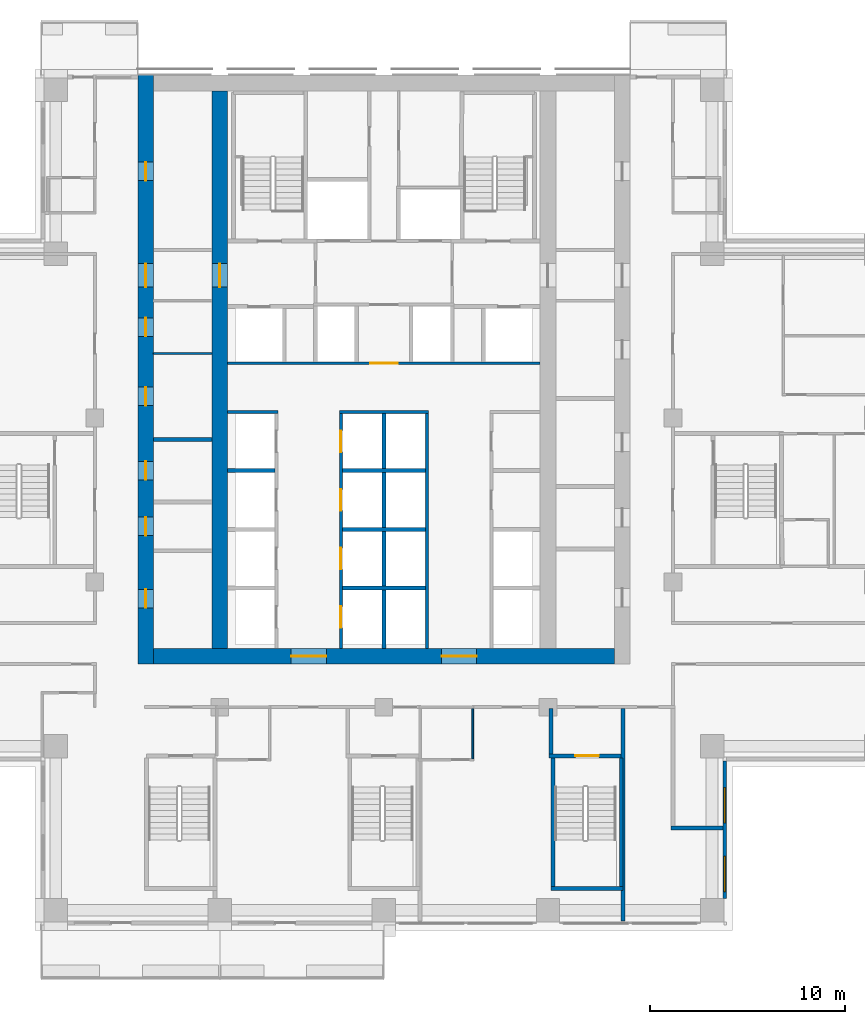
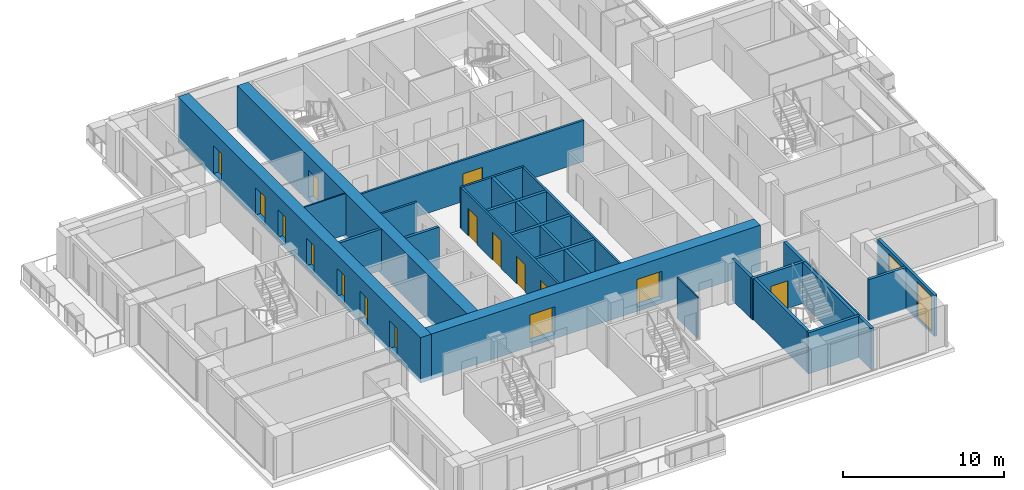
# One storey, part 8 of 16: 24 walls, 16 doors, 2 windows, 18 openings.
"""IFC4 building model written with IfcOpenShell, lengths in metres."""

from ifc_helpers import new_model, si_unit, direction, frame, frame_2d, origin, place, context, subcontext, project, spatial, rectangle, extrude, material, layer, layer_set, type_object, element, fill, save


model = new_model("IFC4")

# Units and contexts
model_context = context("Model", 3, precision=1e-05, world=origin(), true_north=direction((0.0, 1.0)))
body_context = subcontext(model_context, "Body", "Model", "MODEL_VIEW")
ifc_project = project(units=[si_unit("LENGTHUNIT", "METRE"), si_unit("AREAUNIT", "SQUARE_METRE"), si_unit("VOLUMEUNIT", "CUBIC_METRE"), si_unit("PLANEANGLEUNIT", "RADIAN"), si_unit("MASSUNIT", "GRAM", prefix="KILO")], contexts=[model_context])

# Site, building, storey
site_placement = place(None, origin())
site = spatial("IfcSite", under=ifc_project, at=site_placement, CompositionType="ELEMENT")
building_placement = place(site_placement, origin())
building = spatial("IfcBuilding", under=site, at=building_placement, Name="Vermilion Ogive Tower", CompositionType="ELEMENT")
storey_placement = place(building_placement, frame((0.0, 0.0, 114.89990234375)))
storey = spatial("IfcBuildingStorey", under=building, at=storey_placement, Name="L29", CompositionType="ELEMENT", Elevation=114.89990234375)

# Wall, openings, doors
ifc_material_1 = material(Name="Concrete B80", Category="concrete")
ifc_layer_1 = layer(ifc_material_1, 0.800048828125)
ifc_layer_set_1 = layer_set([ifc_layer_1], Name="Core wall 800 B80")
wall_type_1 = type_object("IfcWallType", Name="Core wall 800 B80", PredefinedType="SHEAR", material=ifc_layer_set_1)
wall_1_placement = place(storey_placement, frame((-12.199951171875, -8.39990234375, -0.31982421875), z_axis=(0.0, 0.0, 1.0), x_axis=(0.0, 1.0, 0.0)))
wall_1 = element("IfcWall", 1, at=wall_1_placement, inside=storey, type_object=wall_type_1, Name="L29-CORE-W", PredefinedType="SHEAR", context=body_context, shape_type="SweptSolid", body=[
    extrude(rectangle(XDim=30.14990234375, YDim=0.800048828125, at=frame_2d((15.074951171875, 0.0))), origin(), (0.0, 0.0, 1.0), 3.449951171875),
])
opening_1_placement = place(wall_1_placement, frame((2.875, 0.0, 0.320068359375)))
opening_1 = element("IfcOpeningElement", 2, at=opening_1_placement, cuts=wall_1, Name="Opening DAD056", PredefinedType="OPENING", context=body_context, shape_type="SweptSolid", body=[
    extrude(rectangle(XDim=0.949951171875, YDim=2.10009765625, at=frame_2d((0.47509765625, 1.050048828125))), frame((0.0, 0.409912109375, 0.0), z_axis=(0.0, -1.0, 0.0), x_axis=(1.0, 0.0, 0.0)), (0.0, 0.0, 1.0), 0.820068359375),
])
opening_2_placement = place(wall_1_placement, frame((6.574951171875, 0.0, 0.320068359375)))
opening_2 = element("IfcOpeningElement", 3, at=opening_2_placement, cuts=wall_1, Name="Opening DAD057", PredefinedType="OPENING", context=body_context, shape_type="SweptSolid", body=[
    extrude(rectangle(XDim=0.949951171875, YDim=2.10009765625, at=frame_2d((0.47509765625, 1.050048828125))), frame((0.0, 0.409912109375, 0.0), z_axis=(0.0, -1.0, 0.0), x_axis=(1.0, 0.0, 0.0)), (0.0, 0.0, 1.0), 0.820068359375),
])
opening_3_placement = place(wall_1_placement, frame((9.425048828125, 0.0, 0.320068359375)))
opening_3 = element("IfcOpeningElement", 4, at=opening_3_placement, cuts=wall_1, Name="Opening DAD058", PredefinedType="OPENING", context=body_context, shape_type="SweptSolid", body=[
    extrude(rectangle(XDim=0.949951171875, YDim=2.10009765625, at=frame_2d((0.47509765625, 1.050048828125))), frame((0.0, 0.409912109375, 0.0), z_axis=(0.0, -1.0, 0.0), x_axis=(1.0, 0.0, 0.0)), (0.0, 0.0, 1.0), 0.820068359375),
])
opening_4_placement = place(wall_1_placement, frame((13.22509765625, 0.0, 0.320068359375)))
opening_4 = element("IfcOpeningElement", 5, at=opening_4_placement, cuts=wall_1, Name="Opening DAD059", PredefinedType="OPENING", context=body_context, shape_type="SweptSolid", body=[
    extrude(rectangle(XDim=0.949951171875, YDim=2.10009765625, at=frame_2d((0.47509765625, 1.050048828125))), frame((0.0, 0.409912109375, 0.0), z_axis=(0.0, -1.0, 0.0), x_axis=(1.0, 0.0, 0.0)), (0.0, 0.0, 1.0), 0.820068359375),
])
opening_5_placement = place(wall_1_placement, frame((16.77490234375, 0.0, 0.320068359375)))
opening_5 = element("IfcOpeningElement", 6, at=opening_5_placement, cuts=wall_1, Name="Opening DAD060", PredefinedType="OPENING", context=body_context, shape_type="SweptSolid", body=[
    extrude(rectangle(XDim=0.949951171875, YDim=2.10009765625, at=frame_2d((0.47509765625, 1.050048828125))), frame((0.0, 0.409912109375, 0.0), z_axis=(0.0, -1.0, 0.0), x_axis=(1.0, 0.0, 0.0)), (0.0, 0.0, 1.0), 0.820068359375),
])
opening_6_placement = place(wall_1_placement, frame((24.75, 0.0, 0.320068359375)))
opening_6 = element("IfcOpeningElement", 7, at=opening_6_placement, cuts=wall_1, Name="Opening DAD061", PredefinedType="OPENING", context=body_context, shape_type="SweptSolid", body=[
    extrude(rectangle(XDim=0.949951171875, YDim=2.10009765625, at=frame_2d((0.47509765625, 1.050048828125))), frame((0.0, 0.409912109375, 0.0), z_axis=(0.0, -1.0, 0.0), x_axis=(1.0, 0.0, 0.0)), (0.0, 0.0, 1.0), 0.820068359375),
])
opening_7_placement = place(wall_1_placement, frame((19.300048828125, 0.0, 0.320068359375)))
opening_7 = element("IfcOpeningElement", 8, at=opening_7_placement, cuts=wall_1, Name="Opening DAM011", PredefinedType="OPENING", context=body_context, shape_type="SweptSolid", body=[
    extrude(rectangle(XDim=1.199951171875, YDim=2.10009765625, at=frame_2d((0.60009765625, 1.050048828125))), frame((0.0, 0.409912109375, 0.0), z_axis=(0.0, -1.0, 0.0), x_axis=(1.0, 0.0, 0.0)), (0.0, 0.0, 1.0), 0.820068359375),
])
ifc_material_2 = material(Name="Timber door leaf", Category="wood")
door_type_1 = type_object("IfcDoorType", Name="Link door 1200 x 2100 FD60S", OperationType="SINGLE_SWING_LEFT", PredefinedType="DOOR", material=ifc_material_2)
door_1_placement = place(opening_7_placement, origin())
door_1 = element("IfcDoor", 9, at=door_1_placement, inside=storey, type_object=door_type_1, Name="L29-CKW-XL", OperationType="SINGLE_SWING_LEFT", OverallHeight=2.10009765625, OverallWidth=1.199951171875, PredefinedType="DOOR", context=body_context, shape_type="SweptSolid", body=[
    extrude(rectangle(XDim=1.199951171875, YDim=2.10009765625, at=frame_2d((0.60009765625, 1.050048828125))), frame((0.0, 0.02490234375, 0.0), z_axis=(0.0, -1.0, 0.0), x_axis=(1.0, 0.0, 0.0)), (0.0, 0.0, 1.0), 0.050048828125),
])
fill(opening_7, door_1)
ifc_material_3 = material(Name="Timber door leaf", Category="wood")
door_type_2 = type_object("IfcDoorType", Name="Service door 950 x 2100 FD60", OperationType="SINGLE_SWING_LEFT", PredefinedType="DOOR", material=ifc_material_3)
door_2_placement = place(opening_1_placement, origin())
door_2 = element("IfcDoor", 10, at=door_2_placement, inside=storey, type_object=door_type_2, Name="L29-CKW-XR0", OperationType="SINGLE_SWING_LEFT", OverallHeight=2.10009765625, OverallWidth=0.949951171875, PredefinedType="DOOR", context=body_context, shape_type="SweptSolid", body=[
    extrude(rectangle(XDim=0.949951171875, YDim=2.10009765625, at=frame_2d((0.47509765625, 1.050048828125))), frame((0.0, 0.02490234375, 0.0), z_axis=(0.0, -1.0, 0.0), x_axis=(1.0, 0.0, 0.0)), (0.0, 0.0, 1.0), 0.050048828125),
])
fill(opening_1, door_2)
door_3_placement = place(opening_2_placement, origin())
door_3 = element("IfcDoor", 11, at=door_3_placement, inside=storey, type_object=door_type_2, Name="L29-CKW-XR1", OperationType="SINGLE_SWING_LEFT", OverallHeight=2.10009765625, OverallWidth=0.949951171875, PredefinedType="DOOR", context=body_context, shape_type="SweptSolid", body=[
    extrude(rectangle(XDim=0.949951171875, YDim=2.10009765625, at=frame_2d((0.47509765625, 1.050048828125))), frame((0.0, 0.02490234375, 0.0), z_axis=(0.0, -1.0, 0.0), x_axis=(1.0, 0.0, 0.0)), (0.0, 0.0, 1.0), 0.050048828125),
])
fill(opening_2, door_3)
door_4_placement = place(opening_3_placement, origin())
door_4 = element("IfcDoor", 12, at=door_4_placement, inside=storey, type_object=door_type_2, Name="L29-CKW-XR2", OperationType="SINGLE_SWING_LEFT", OverallHeight=2.10009765625, OverallWidth=0.949951171875, PredefinedType="DOOR", context=body_context, shape_type="SweptSolid", body=[
    extrude(rectangle(XDim=0.949951171875, YDim=2.10009765625, at=frame_2d((0.47509765625, 1.050048828125))), frame((0.0, 0.02490234375, 0.0), z_axis=(0.0, -1.0, 0.0), x_axis=(1.0, 0.0, 0.0)), (0.0, 0.0, 1.0), 0.050048828125),
])
fill(opening_3, door_4)
door_5_placement = place(opening_4_placement, origin())
door_5 = element("IfcDoor", 13, at=door_5_placement, inside=storey, type_object=door_type_2, Name="L29-CKW-XR3", OperationType="SINGLE_SWING_LEFT", OverallHeight=2.10009765625, OverallWidth=0.949951171875, PredefinedType="DOOR", context=body_context, shape_type="SweptSolid", body=[
    extrude(rectangle(XDim=0.949951171875, YDim=2.10009765625, at=frame_2d((0.47509765625, 1.050048828125))), frame((0.0, 0.02490234375, 0.0), z_axis=(0.0, -1.0, 0.0), x_axis=(1.0, 0.0, 0.0)), (0.0, 0.0, 1.0), 0.050048828125),
])
fill(opening_4, door_5)
door_6_placement = place(opening_5_placement, origin())
door_6 = element("IfcDoor", 14, at=door_6_placement, inside=storey, type_object=door_type_2, Name="L29-CKW-XR4", OperationType="SINGLE_SWING_LEFT", OverallHeight=2.10009765625, OverallWidth=0.949951171875, PredefinedType="DOOR", context=body_context, shape_type="SweptSolid", body=[
    extrude(rectangle(XDim=0.949951171875, YDim=2.10009765625, at=frame_2d((0.47509765625, 1.050048828125))), frame((0.0, 0.02490234375, 0.0), z_axis=(0.0, -1.0, 0.0), x_axis=(1.0, 0.0, 0.0)), (0.0, 0.0, 1.0), 0.050048828125),
])
fill(opening_5, door_6)
door_7_placement = place(opening_6_placement, origin())
door_7 = element("IfcDoor", 15, at=door_7_placement, inside=storey, type_object=door_type_2, Name="L29-CKW-XR5", OperationType="SINGLE_SWING_LEFT", OverallHeight=2.10009765625, OverallWidth=0.949951171875, PredefinedType="DOOR", context=body_context, shape_type="SweptSolid", body=[
    extrude(rectangle(XDim=0.949951171875, YDim=2.10009765625, at=frame_2d((0.47509765625, 1.050048828125))), frame((0.0, 0.02490234375, 0.0), z_axis=(0.0, -1.0, 0.0), x_axis=(1.0, 0.0, 0.0)), (0.0, 0.0, 1.0), 0.050048828125),
])
fill(opening_6, door_7)

wall_2_placement = place(storey_placement, frame((-11.800048828125, -8.0, -0.31982421875), z_axis=(0.0, 0.0, 1.0), x_axis=(1.0, 0.0, 0.0)))
wall_2 = element("IfcWall", 16, at=wall_2_placement, inside=storey, type_object=wall_type_1, Name="L29-CORE-S", PredefinedType="SHEAR", context=body_context, shape_type="SweptSolid", body=[
    extrude(rectangle(XDim=23.60009765625, YDim=0.800048828125, at=frame_2d((11.800048828125, 0.0))), origin(), (0.0, 0.0, 1.0), 3.449951171875),
])
opening_8_placement = place(wall_2_placement, frame((7.050048828125, 0.0, 0.320068359375)))
opening_8 = element("IfcOpeningElement", 17, at=opening_8_placement, cuts=wall_2, Name="Opening DAH021", PredefinedType="OPENING", context=body_context, shape_type="SweptSolid", body=[
    extrude(rectangle(XDim=1.800048828125, YDim=2.10009765625, at=frame_2d((0.89990234375, 1.050048828125))), frame((0.0, 0.409912109375, 0.0), z_axis=(0.0, -1.0, 0.0), x_axis=(1.0, 0.0, 0.0)), (0.0, 0.0, 1.0), 0.820068359375),
])
opening_9_placement = place(wall_2_placement, frame((14.75, 0.0, 0.320068359375)))
opening_9 = element("IfcOpeningElement", 18, at=opening_9_placement, cuts=wall_2, Name="Opening DAH022", PredefinedType="OPENING", context=body_context, shape_type="SweptSolid", body=[
    extrude(rectangle(XDim=1.800048828125, YDim=2.10009765625, at=frame_2d((0.89990234375, 1.050048828125))), frame((0.0, 0.409912109375, 0.0), z_axis=(0.0, -1.0, 0.0), x_axis=(1.0, 0.0, 0.0)), (0.0, 0.0, 1.0), 0.820068359375),
])
ifc_material_4 = material(Name="Timber door leaf", Category="wood")
door_type_3 = type_object("IfcDoorType", Name="Core entry door 1800 x 2100 FD60S", OperationType="DOUBLE_DOOR_SINGLE_SWING", PredefinedType="DOOR", material=ifc_material_4)
door_8_placement = place(opening_8_placement, origin())
door_8 = element("IfcDoor", 19, at=door_8_placement, inside=storey, type_object=door_type_3, Name="L29-CK-XD1", OperationType="SINGLE_SWING_LEFT", OverallHeight=2.10009765625, OverallWidth=1.800048828125, PredefinedType="DOOR", context=body_context, shape_type="SweptSolid", body=[
    extrude(rectangle(XDim=1.800048828125, YDim=2.10009765625, at=frame_2d((0.89990234375, 1.050048828125))), frame((0.0, 0.02490234375, 0.0), z_axis=(0.0, -1.0, 0.0), x_axis=(1.0, 0.0, 0.0)), (0.0, 0.0, 1.0), 0.050048828125),
])
fill(opening_8, door_8)
door_9_placement = place(opening_9_placement, origin())
door_9 = element("IfcDoor", 20, at=door_9_placement, inside=storey, type_object=door_type_3, Name="L29-CK-XD2", OperationType="SINGLE_SWING_LEFT", OverallHeight=2.10009765625, OverallWidth=1.800048828125, PredefinedType="DOOR", context=body_context, shape_type="SweptSolid", body=[
    extrude(rectangle(XDim=1.800048828125, YDim=2.10009765625, at=frame_2d((0.89990234375, 1.050048828125))), frame((0.0, 0.02490234375, 0.0), z_axis=(0.0, -1.0, 0.0), x_axis=(1.0, 0.0, 0.0)), (0.0, 0.0, 1.0), 0.050048828125),
])
fill(opening_9, door_9)

# Wall, opening, door
wall_3_placement = place(storey_placement, frame((-8.39990234375, -7.60009765625, -0.31982421875), z_axis=(0.0, 0.0, 1.0), x_axis=(0.0, 1.0, 0.0)))
wall_3 = element("IfcWall", 21, at=wall_3_placement, inside=storey, type_object=wall_type_1, Name="L29-CORE-WEB1", PredefinedType="SHEAR", context=body_context, shape_type="SweptSolid", body=[
    extrude(rectangle(XDim=28.550048828125, YDim=0.800048828125, at=frame_2d((14.27490234375, 0.0))), origin(), (0.0, 0.0, 1.0), 3.449951171875),
])
opening_10_placement = place(wall_3_placement, frame((18.5, 0.0, 0.320068359375)))
opening_10 = element("IfcOpeningElement", 22, at=opening_10_placement, cuts=wall_3, Name="Opening DAP011", PredefinedType="OPENING", context=body_context, shape_type="SweptSolid", body=[
    extrude(rectangle(XDim=1.199951171875, YDim=2.10009765625, at=frame_2d((0.60009765625, 1.050048828125))), frame((0.0, 0.409912109375, 0.0), z_axis=(0.0, -1.0, 0.0), x_axis=(1.0, 0.0, 0.0)), (0.0, 0.0, 1.0), 0.820068359375),
])
door_10_placement = place(opening_10_placement, origin())
door_10 = element("IfcDoor", 23, at=door_10_placement, inside=storey, type_object=door_type_1, Name="L29-CKW-XW", OperationType="SINGLE_SWING_LEFT", OverallHeight=2.10009765625, OverallWidth=1.199951171875, PredefinedType="DOOR", context=body_context, shape_type="SweptSolid", body=[
    extrude(rectangle(XDim=1.199951171875, YDim=2.10009765625, at=frame_2d((0.60009765625, 1.050048828125))), frame((0.0, 0.02490234375, 0.0), z_axis=(0.0, -1.0, 0.0), x_axis=(1.0, 0.0, 0.0)), (0.0, 0.0, 1.0), 0.050048828125),
])
fill(opening_10, door_10)

# Walls
ifc_material_5 = material(Name="Gypsum board partition on steel studs", Category="steel")
ifc_layer_2 = layer(ifc_material_5, 0.10009765625)
ifc_layer_set_2 = layer_set([ifc_layer_2], Name="Partition 100 bath")
wall_type_2 = type_object("IfcWallType", Name="Partition 100 bath", PredefinedType="PARTITIONING", material=ifc_layer_set_2)
wall_4_placement = place(storey_placement, frame((4.550048828125, -13.248046875, 0.0), z_axis=(0.0, 0.0, 1.0), x_axis=(0.0, 1.0, 0.0)))
element("IfcWall", 24, at=wall_4_placement, inside=storey, type_object=wall_type_2, Name="L29-W-W062", PredefinedType="PARTITIONING", context=body_context, shape_type="SweptSolid", body=[
    extrude(rectangle(XDim=2.572998046875, YDim=0.10009765625, at=frame_2d((1.28662109375, 0.0))), origin(), (0.0, 0.0, 1.0), 3.130126953125),
])
wall_5_placement = place(storey_placement, frame((-11.799072265625, 7.5, 0.0), z_axis=(0.0, 0.0, 1.0), x_axis=(1.0, 0.0, 0.0)))
element("IfcWall", 25, at=wall_5_placement, inside=storey, type_object=wall_type_2, Name="L29-CKW-W-W004", PredefinedType="PARTITIONING", context=body_context, shape_type="SweptSolid", body=[
    extrude(rectangle(XDim=2.998046875, YDim=0.10009765625, at=frame_2d((1.4990234375, 0.0))), origin(), (0.0, 0.0, 1.0), 3.130126953125),
])
ifc_material_6 = material(Name="Gypsum board partition on steel studs", Category="steel")
ifc_layer_3 = layer(ifc_material_6, 0.14990234375)
ifc_layer_set_3 = layer_set([ifc_layer_3], Name="Partition 150 corridor")
wall_type_3 = type_object("IfcWallType", Name="Partition 150 corridor", PredefinedType="PARTITIONING", material=ifc_layer_set_3)
wall_6_placement = place(storey_placement, frame((-7.9990234375, 4.5, 0.0), z_axis=(0.0, 0.0, 1.0), x_axis=(1.0, 0.0, 0.0)))
element("IfcWall", 26, at=wall_6_placement, inside=storey, type_object=wall_type_3, Name="L29-CK-W-W010", PredefinedType="PARTITIONING", context=body_context, shape_type="SweptSolid", body=[
    extrude(rectangle(XDim=2.573974609375, YDim=0.14990234375, at=frame_2d((1.287109375, 0.0))), origin(), (0.0, 0.0, 1.0), 3.130126953125),
])
wall_7_placement = place(storey_placement, frame((-2.27490234375, 4.5, 0.0), z_axis=(0.0, 0.0, 1.0), x_axis=(1.0, 0.0, 0.0)))
element("IfcWall", 27, at=wall_7_placement, inside=storey, type_object=wall_type_3, Name="L29-CK-W-W011", PredefinedType="PARTITIONING", context=body_context, shape_type="SweptSolid", body=[
    extrude(rectangle(XDim=4.5498046875, YDim=0.14990234375, at=frame_2d((2.27490234375, 0.0))), origin(), (0.0, 0.0, 1.0), 3.130126953125),
])

# Wall, opening, door
wall_8_placement = place(storey_placement, frame((-7.9990234375, 7.0, 0.0), z_axis=(0.0, 0.0, 1.0), x_axis=(1.0, 0.0, 0.0)))
wall_8 = element("IfcWall", 28, at=wall_8_placement, inside=storey, type_object=wall_type_3, Name="L29-CK-W-W013", PredefinedType="PARTITIONING", context=body_context, shape_type="SweptSolid", body=[
    extrude(rectangle(XDim=15.998046875, YDim=0.14990234375, at=frame_2d((7.9990234375, 0.0))), origin(), (0.0, 0.0, 1.0), 3.130126953125),
])
opening_11_placement = place(wall_8_placement, frame((7.299072265625, 0.0, 0.0)))
opening_11 = element("IfcOpeningElement", 29, at=opening_11_placement, cuts=wall_8, Name="Opening DAA232", PredefinedType="OPENING", context=body_context, shape_type="SweptSolid", body=[
    extrude(rectangle(XDim=1.39990234375, YDim=2.10009765625, at=frame_2d((0.699951171875, 1.050048828125))), frame((0.0, 0.0849609375, 0.0), z_axis=(0.0, -1.0, 0.0), x_axis=(1.0, 0.0, 0.0)), (0.0, 0.0, 1.0), 0.169921875),
])
ifc_material_7 = material(Name="Timber door leaf", Category="wood")
door_type_4 = type_object("IfcDoorType", Name="Lobby door 1400 x 2100 FD60S", OperationType="SINGLE_SWING_LEFT", PredefinedType="DOOR", material=ifc_material_7)
door_11_placement = place(opening_11_placement, origin())
door_11 = element("IfcDoor", 30, at=door_11_placement, inside=storey, type_object=door_type_4, Name="L29-CK-D-D015", OperationType="SINGLE_SWING_RIGHT", OverallHeight=2.10009765625, OverallWidth=1.39990234375, PredefinedType="DOOR", context=body_context, shape_type="SweptSolid", body=[
    extrude(rectangle(XDim=1.39990234375, YDim=2.10009765625, at=frame_2d((0.699951171875, 1.050048828125))), frame((0.0, 0.02490234375, 0.0), z_axis=(0.0, -1.0, 0.0), x_axis=(1.0, 0.0, 0.0)), (0.0, 0.0, 1.0), 0.050048828125),
])
fill(opening_11, door_11)

# Wall, openings, doors
wall_9_placement = place(storey_placement, frame((-2.199951171875, -7.59912109375, 0.0), z_axis=(0.0, 0.0, 1.0), x_axis=(0.0, 1.0, 0.0)))
wall_9 = element("IfcWall", 31, at=wall_9_placement, inside=storey, type_object=wall_type_3, Name="L29-CK-W-W027", PredefinedType="PARTITIONING", context=body_context, shape_type="SweptSolid", body=[
    extrude(rectangle(XDim=12.024169921875, YDim=0.14990234375, at=frame_2d((6.01220703125, 0.0))), origin(), (0.0, 0.0, 1.0), 3.130126953125),
])
opening_12_placement = place(wall_9_placement, frame((1.049072265625, 0.0, 0.0)))
opening_12 = element("IfcOpeningElement", 32, at=opening_12_placement, cuts=wall_9, Name="Opening DAA247", PredefinedType="OPENING", context=body_context, shape_type="SweptSolid", body=[
    extrude(rectangle(XDim=1.10009765625, YDim=2.10009765625, at=frame_2d((0.550048828125, 1.050048828125))), frame((0.0, 0.0849609375, 0.0), z_axis=(0.0, -1.0, 0.0), x_axis=(1.0, 0.0, 0.0)), (0.0, 0.0, 1.0), 0.169921875),
])
opening_13_placement = place(wall_9_placement, frame((4.049072265625, 0.0, 0.0)))
opening_13 = element("IfcOpeningElement", 33, at=opening_13_placement, cuts=wall_9, Name="Opening DAA248", PredefinedType="OPENING", context=body_context, shape_type="SweptSolid", body=[
    extrude(rectangle(XDim=1.10009765625, YDim=2.10009765625, at=frame_2d((0.550048828125, 1.050048828125))), frame((0.0, 0.0849609375, 0.0), z_axis=(0.0, -1.0, 0.0), x_axis=(1.0, 0.0, 0.0)), (0.0, 0.0, 1.0), 0.169921875),
])
opening_14_placement = place(wall_9_placement, frame((7.049072265625, 0.0, 0.0)))
opening_14 = element("IfcOpeningElement", 34, at=opening_14_placement, cuts=wall_9, Name="Opening DAA249", PredefinedType="OPENING", context=body_context, shape_type="SweptSolid", body=[
    extrude(rectangle(XDim=1.10009765625, YDim=2.10009765625, at=frame_2d((0.550048828125, 1.050048828125))), frame((0.0, 0.0849609375, 0.0), z_axis=(0.0, -1.0, 0.0), x_axis=(1.0, 0.0, 0.0)), (0.0, 0.0, 1.0), 0.169921875),
])
opening_15_placement = place(wall_9_placement, frame((10.049072265625, 0.0, 0.0)))
opening_15 = element("IfcOpeningElement", 35, at=opening_15_placement, cuts=wall_9, Name="Opening DAA250", PredefinedType="OPENING", context=body_context, shape_type="SweptSolid", body=[
    extrude(rectangle(XDim=1.10009765625, YDim=2.10009765625, at=frame_2d((0.550048828125, 1.050048828125))), frame((0.0, 0.0849609375, 0.0), z_axis=(0.0, -1.0, 0.0), x_axis=(1.0, 0.0, 0.0)), (0.0, 0.0, 1.0), 0.169921875),
])
ifc_material_8 = material(Name="Stainless steel", Category="steel")
door_type_5 = type_object("IfcDoorType", Name="Lift landing door 1100 x 2100", OperationType="SLIDING_TO_LEFT", PredefinedType="DOOR", material=ifc_material_8)
door_12_placement = place(opening_12_placement, origin())
door_12 = element("IfcDoor", 36, at=door_12_placement, inside=storey, type_object=door_type_5, Name="L29-CK-D-D005", OperationType="SLIDING_TO_LEFT", OverallHeight=2.10009765625, OverallWidth=1.10009765625, PredefinedType="DOOR", context=body_context, shape_type="SweptSolid", body=[
    extrude(rectangle(XDim=1.10009765625, YDim=2.10009765625, at=frame_2d((0.550048828125, 1.050048828125))), frame((0.0, 0.02490234375, 0.0), z_axis=(0.0, -1.0, 0.0), x_axis=(1.0, 0.0, 0.0)), (0.0, 0.0, 1.0), 0.050048828125),
])
fill(opening_12, door_12)
door_13_placement = place(opening_13_placement, origin())
door_13 = element("IfcDoor", 37, at=door_13_placement, inside=storey, type_object=door_type_5, Name="L29-CK-D-D006", OperationType="SLIDING_TO_LEFT", OverallHeight=2.10009765625, OverallWidth=1.10009765625, PredefinedType="DOOR", context=body_context, shape_type="SweptSolid", body=[
    extrude(rectangle(XDim=1.10009765625, YDim=2.10009765625, at=frame_2d((0.550048828125, 1.050048828125))), frame((0.0, 0.02490234375, 0.0), z_axis=(0.0, -1.0, 0.0), x_axis=(1.0, 0.0, 0.0)), (0.0, 0.0, 1.0), 0.050048828125),
])
fill(opening_13, door_13)
door_14_placement = place(opening_14_placement, origin())
door_14 = element("IfcDoor", 38, at=door_14_placement, inside=storey, type_object=door_type_5, Name="L29-CK-D-D007", OperationType="SLIDING_TO_LEFT", OverallHeight=2.10009765625, OverallWidth=1.10009765625, PredefinedType="DOOR", context=body_context, shape_type="SweptSolid", body=[
    extrude(rectangle(XDim=1.10009765625, YDim=2.10009765625, at=frame_2d((0.550048828125, 1.050048828125))), frame((0.0, 0.02490234375, 0.0), z_axis=(0.0, -1.0, 0.0), x_axis=(1.0, 0.0, 0.0)), (0.0, 0.0, 1.0), 0.050048828125),
])
fill(opening_14, door_14)
door_15_placement = place(opening_15_placement, origin())
door_15 = element("IfcDoor", 39, at=door_15_placement, inside=storey, type_object=door_type_5, Name="L29-CK-D-D008", OperationType="SLIDING_TO_LEFT", OverallHeight=2.10009765625, OverallWidth=1.10009765625, PredefinedType="DOOR", context=body_context, shape_type="SweptSolid", body=[
    extrude(rectangle(XDim=1.10009765625, YDim=2.10009765625, at=frame_2d((0.550048828125, 1.050048828125))), frame((0.0, 0.02490234375, 0.0), z_axis=(0.0, -1.0, 0.0), x_axis=(1.0, 0.0, 0.0)), (0.0, 0.0, 1.0), 0.050048828125),
])
fill(opening_15, door_15)

# Walls
wall_10_placement = place(storey_placement, frame((2.199951171875, -7.59912109375, 0.0), z_axis=(0.0, 0.0, 1.0), x_axis=(0.0, 1.0, 0.0)))
element("IfcWall", 40, at=wall_10_placement, inside=storey, type_object=wall_type_3, Name="L29-CK-W-W034", PredefinedType="PARTITIONING", context=body_context, shape_type="SweptSolid", body=[
    extrude(rectangle(XDim=12.024169921875, YDim=0.14990234375, at=frame_2d((6.01220703125, 0.0))), origin(), (0.0, 0.0, 1.0), 3.130126953125),
])
ifc_material_9 = material(Name="Gypsum board partition on steel studs", Category="steel")
ifc_layer_4 = layer(ifc_material_9, 0.199951171875)
ifc_layer_set_4 = layer_set([ifc_layer_4], Name="Partition 200 party")
wall_type_4 = type_object("IfcWallType", Name="Partition 200 party", PredefinedType="PARTITIONING", material=ifc_layer_set_4)
wall_11_placement = place(storey_placement, frame((14.701904296875, -16.800048828125, 0.0), z_axis=(0.0, 0.0, 1.0), x_axis=(1.0, 0.0, 0.0)))
element("IfcWall", 41, at=wall_11_placement, inside=storey, type_object=wall_type_4, Name="L29-W-W003", PredefinedType="PARTITIONING", context=body_context, shape_type="SweptSolid", body=[
    extrude(rectangle(XDim=2.648193359375, YDim=0.199951171875, at=frame_2d((1.32421875, 0.0))), origin(), (0.0, 0.0, 1.0), 3.130126953125),
])
wall_12_placement = place(storey_placement, frame((8.550048828125, -12.998046875, 0.0), z_axis=(0.0, 0.0, 1.0), x_axis=(0.0, 1.0, 0.0)))
element("IfcWall", 42, at=wall_12_placement, inside=storey, type_object=wall_type_4, Name="L29-W-W063", PredefinedType="PARTITIONING", context=body_context, shape_type="SweptSolid", body=[
    extrude(rectangle(XDim=2.322998046875, YDim=0.199951171875, at=frame_2d((1.16162109375, 0.0))), origin(), (0.0, 0.0, 1.0), 3.130126953125),
])
for number, where, z_axis, x_axis, name in (
    (43, (-2.125, -4.5, 0.0), (0.0, 0.0, 1.0), (1.0, 0.0, 0.0), "L29-CK-W-W002"),
    (44, (-2.125, -1.5, 0.0), (0.0, 0.0, 1.0), (1.0, 0.0, 0.0), "L29-CK-W-W005"),
):
    element("IfcWall", number, at=place(storey_placement, frame(where, z_axis=z_axis, x_axis=x_axis)), inside=storey, type_object=wall_type_4, Name=name, PredefinedType="PARTITIONING", context=body_context, shape_type="SweptSolid", body=[
        extrude(rectangle(XDim=4.25, YDim=0.199951171875, at=frame_2d((2.125, 0.0))), origin(), (0.0, 0.0, 1.0), 3.130126953125),
    ])
wall_13_placement = place(storey_placement, frame((-7.9990234375, 1.5, 0.0), z_axis=(0.0, 0.0, 1.0), x_axis=(1.0, 0.0, 0.0)))
element("IfcWall", 45, at=wall_13_placement, inside=storey, type_object=wall_type_4, Name="L29-CK-W-W007", PredefinedType="PARTITIONING", context=body_context, shape_type="SweptSolid", body=[
    extrude(rectangle(XDim=2.424072265625, YDim=0.199951171875, at=frame_2d((1.2119140625, 0.0))), origin(), (0.0, 0.0, 1.0), 3.130126953125),
])
wall_14_placement = place(storey_placement, frame((-2.125, 1.5, 0.0), z_axis=(0.0, 0.0, 1.0), x_axis=(1.0, 0.0, 0.0)))
element("IfcWall", 46, at=wall_14_placement, inside=storey, type_object=wall_type_4, Name="L29-CK-W-W008", PredefinedType="PARTITIONING", context=body_context, shape_type="SweptSolid", body=[
    extrude(rectangle(XDim=4.25, YDim=0.199951171875, at=frame_2d((2.125, 0.0))), origin(), (0.0, 0.0, 1.0), 3.130126953125),
])
wall_15_placement = place(storey_placement, frame((0.0, -7.59912109375, 0.0), z_axis=(0.0, 0.0, 1.0), x_axis=(0.0, 1.0, 0.0)))
element("IfcWall", 47, at=wall_15_placement, inside=storey, type_object=wall_type_4, Name="L29-CK-W-W030", PredefinedType="PARTITIONING", context=body_context, shape_type="SweptSolid", body=[
    extrude(rectangle(XDim=12.024169921875, YDim=0.199951171875, at=frame_2d((6.01220703125, 0.0))), origin(), (0.0, 0.0, 1.0), 3.130126953125),
])
wall_16_placement = place(storey_placement, frame((-11.799072265625, 3.10009765625, 0.0), z_axis=(0.0, 0.0, 1.0), x_axis=(1.0, 0.0, 0.0)))
element("IfcWall", 48, at=wall_16_placement, inside=storey, type_object=wall_type_4, Name="L29-CKW-W-W003", PredefinedType="PARTITIONING", context=body_context, shape_type="SweptSolid", body=[
    extrude(rectangle(XDim=2.998046875, YDim=0.199951171875, at=frame_2d((1.4990234375, 0.0))), origin(), (0.0, 0.0, 1.0), 3.130126953125),
])
ifc_material_10 = material(Name="Concrete B60", Category="concrete")
ifc_layer_5 = layer(ifc_material_10, 0.199951171875)
ifc_layer_set_5 = layer_set([ifc_layer_5], Name="Stair shaft wall 200 Concrete B60")
wall_type_5 = type_object("IfcWallType", Name="Stair shaft wall 200 Concrete B60", PredefinedType="SOLIDWALL", material=ifc_layer_set_5)
wall_17_placement = place(storey_placement, frame((8.552001953125, -19.89990234375, 0.0), z_axis=(0.0, 0.0, 1.0), x_axis=(1.0, 0.0, 0.0)))
element("IfcWall", 49, at=wall_17_placement, inside=storey, type_object=wall_type_5, Name="L29-W-W002", PredefinedType="SOLIDWALL", context=body_context, shape_type="SweptSolid", body=[
    extrude(rectangle(XDim=3.696044921875, YDim=0.199951171875, at=frame_2d((1.84814453125, 0.0))), origin(), (0.0, 0.0, 1.0), 3.130126953125),
])

# Wall, opening, door
wall_18_placement = place(storey_placement, frame((8.451904296875, -13.10009765625, 0.0), z_axis=(0.0, 0.0, 1.0), x_axis=(1.0, 0.0, 0.0)))
wall_18 = element("IfcWall", 50, at=wall_18_placement, inside=storey, type_object=wall_type_5, Name="L29-W-W008", PredefinedType="SOLIDWALL", context=body_context, shape_type="SweptSolid", body=[
    extrude(rectangle(XDim=3.696044921875, YDim=0.199951171875, at=frame_2d((1.84814453125, 0.0))), origin(), (0.0, 0.0, 1.0), 3.130126953125),
])
opening_16_placement = place(wall_18_placement, frame((1.34814453125, 0.0, 0.0)))
opening_16 = element("IfcOpeningElement", 51, at=opening_16_placement, cuts=wall_18, Name="Opening D2G5028", PredefinedType="OPENING", context=body_context, shape_type="SweptSolid", body=[
    extrude(rectangle(XDim=1.199951171875, YDim=2.10009765625, at=frame_2d((0.60009765625, 1.050048828125))), frame((0.0, 0.10986328125, 0.0), z_axis=(0.0, -1.0, 0.0), x_axis=(1.0, 0.0, 0.0)), (0.0, 0.0, 1.0), 0.219970703125),
])
ifc_material_11 = material(Name="Timber door leaf", Category="wood")
door_type_6 = type_object("IfcDoorType", Name="Stair door 1200 x 2100 FD60S", OperationType="SINGLE_SWING_LEFT", PredefinedType="DOOR", material=ifc_material_11)
door_16_placement = place(opening_16_placement, origin())
door_16 = element("IfcDoor", 52, at=door_16_placement, inside=storey, type_object=door_type_6, Name="L29-D-D028", OperationType="SINGLE_SWING_RIGHT", OverallHeight=2.10009765625, OverallWidth=1.199951171875, PredefinedType="DOOR", context=body_context, shape_type="SweptSolid", body=[
    extrude(rectangle(XDim=1.199951171875, YDim=2.10009765625, at=frame_2d((0.60009765625, 1.050048828125))), frame((0.0, 0.02490234375, 0.0), z_axis=(0.0, -1.0, 0.0), x_axis=(1.0, 0.0, 0.0)), (0.0, 0.0, 1.0), 0.050048828125),
])
fill(opening_16, door_16)

# Walls
for number, where, z_axis, x_axis, name in (
    (53, (8.64990234375, -19.798095703125, 0.0), (0.0, 0.0, 1.0), (0.0, 1.0, 0.0), "L29-W-W064"),
    (54, (12.14990234375, -19.798095703125, 0.0), (0.0, 0.0, 1.0), (0.0, 1.0, 0.0), "L29-W-W065"),
):
    element("IfcWall", number, at=place(storey_placement, frame(where, z_axis=z_axis, x_axis=x_axis)), inside=storey, type_object=wall_type_5, Name=name, PredefinedType="SOLIDWALL", context=body_context, shape_type="SweptSolid", body=[
        extrude(rectangle(XDim=6.59619140625, YDim=0.199951171875, at=frame_2d((3.298095703125, 0.0))), origin(), (0.0, 0.0, 1.0), 3.130126953125),
    ])
wall_19_placement = place(storey_placement, frame((12.25, -21.550048828125, 0.0), z_axis=(0.0, 0.0, 1.0), x_axis=(0.0, 1.0, 0.0)))
element("IfcWall", 55, at=wall_19_placement, inside=storey, type_object=wall_type_5, Name="L29-W-W066-A", PredefinedType="SOLIDWALL", context=body_context, shape_type="SweptSolid", body=[
    extrude(rectangle(XDim=10.875, YDim=0.199951171875, at=frame_2d((5.4375, 0.0))), origin(), (0.0, 0.0, 1.0), 3.130126953125),
])

# Wall, openings, windows
ifc_material_12 = material(Name="Aluminium window wall framing", Category="aluminium")
ifc_layer_6 = layer(ifc_material_12, 0.199951171875)
ifc_layer_set_6 = layer_set([ifc_layer_6], Name="Window wall")
wall_type_6 = type_object("IfcWallType", Name="Window wall", PredefinedType="STANDARD", material=ifc_layer_set_6)
wall_20_placement = place(storey_placement, frame((17.449951171875, -20.39990234375, 0.0), z_axis=(0.0, 0.0, 1.0), x_axis=(0.0, 1.0, 0.0)))
wall_20 = element("IfcWall", 56, at=wall_20_placement, inside=storey, type_object=wall_type_6, Name="Window wall X11", PredefinedType="STANDARD", context=body_context, shape_type="SweptSolid", body=[
    extrude(rectangle(XDim=7.0498046875, YDim=0.199951171875, at=frame_2d((3.52490234375, 0.0))), origin(), (0.0, 0.0, 1.0), 3.130126953125),
])
opening_17_placement = place(wall_20_placement, frame((0.35009765625, 0.0, 0.199951171875)))
opening_17 = element("IfcOpeningElement", 57, at=opening_17_placement, cuts=wall_20, Name="Opening W1-X195", PredefinedType="OPENING", context=body_context, shape_type="SweptSolid", body=[
    extrude(rectangle(XDim=1.800048828125, YDim=2.64990234375, at=frame_2d((0.89990234375, 1.324951171875))), frame((0.0, 0.10986328125, 0.0), z_axis=(0.0, -1.0, 0.0), x_axis=(1.0, 0.0, 0.0)), (0.0, 0.0, 1.0), 0.219970703125),
])
opening_18_placement = place(wall_20_placement, frame((3.875, 0.0, 0.199951171875)))
opening_18 = element("IfcOpeningElement", 58, at=opening_18_placement, cuts=wall_20, Name="Opening W1-X196", PredefinedType="OPENING", context=body_context, shape_type="SweptSolid", body=[
    extrude(rectangle(XDim=1.800048828125, YDim=2.64990234375, at=frame_2d((0.89990234375, 1.324951171875))), frame((0.0, 0.10986328125, 0.0), z_axis=(0.0, -1.0, 0.0), x_axis=(1.0, 0.0, 0.0)), (0.0, 0.0, 1.0), 0.219970703125),
])
ifc_material_13 = material(Name="Aluminium framed double glazing", Category="aluminium")
window_type = type_object("IfcWindowType", Name="Guest window W1", PartitioningType="SINGLE_PANEL", PredefinedType="WINDOW", material=ifc_material_13)
window_1_placement = place(opening_17_placement, origin())
window_1 = element("IfcWindow", 59, at=window_1_placement, inside=storey, type_object=window_type, Name="Window X195", OverallHeight=2.64990234375, OverallWidth=1.800048828125, PartitioningType="SINGLE_PANEL", PredefinedType="WINDOW", context=body_context, shape_type="SweptSolid", body=[
    extrude(rectangle(XDim=1.800048828125, YDim=2.64990234375, at=frame_2d((0.89990234375, 1.324951171875))), frame((0.0, 0.030029296875, 0.0), z_axis=(0.0, -1.0, 0.0), x_axis=(1.0, 0.0, 0.0)), (0.0, 0.0, 1.0), 0.06005859375),
])
fill(opening_17, window_1)
window_2_placement = place(opening_18_placement, origin())
window_2 = element("IfcWindow", 60, at=window_2_placement, inside=storey, type_object=window_type, Name="Window X196", OverallHeight=2.64990234375, OverallWidth=1.800048828125, PartitioningType="SINGLE_PANEL", PredefinedType="WINDOW", context=body_context, shape_type="SweptSolid", body=[
    extrude(rectangle(XDim=1.800048828125, YDim=2.64990234375, at=frame_2d((0.89990234375, 1.324951171875))), frame((0.0, 0.030029296875, 0.0), z_axis=(0.0, -1.0, 0.0), x_axis=(1.0, 0.0, 0.0)), (0.0, 0.0, 1.0), 0.06005859375),
])
fill(opening_18, window_2)

save(model, "model.ifc")
